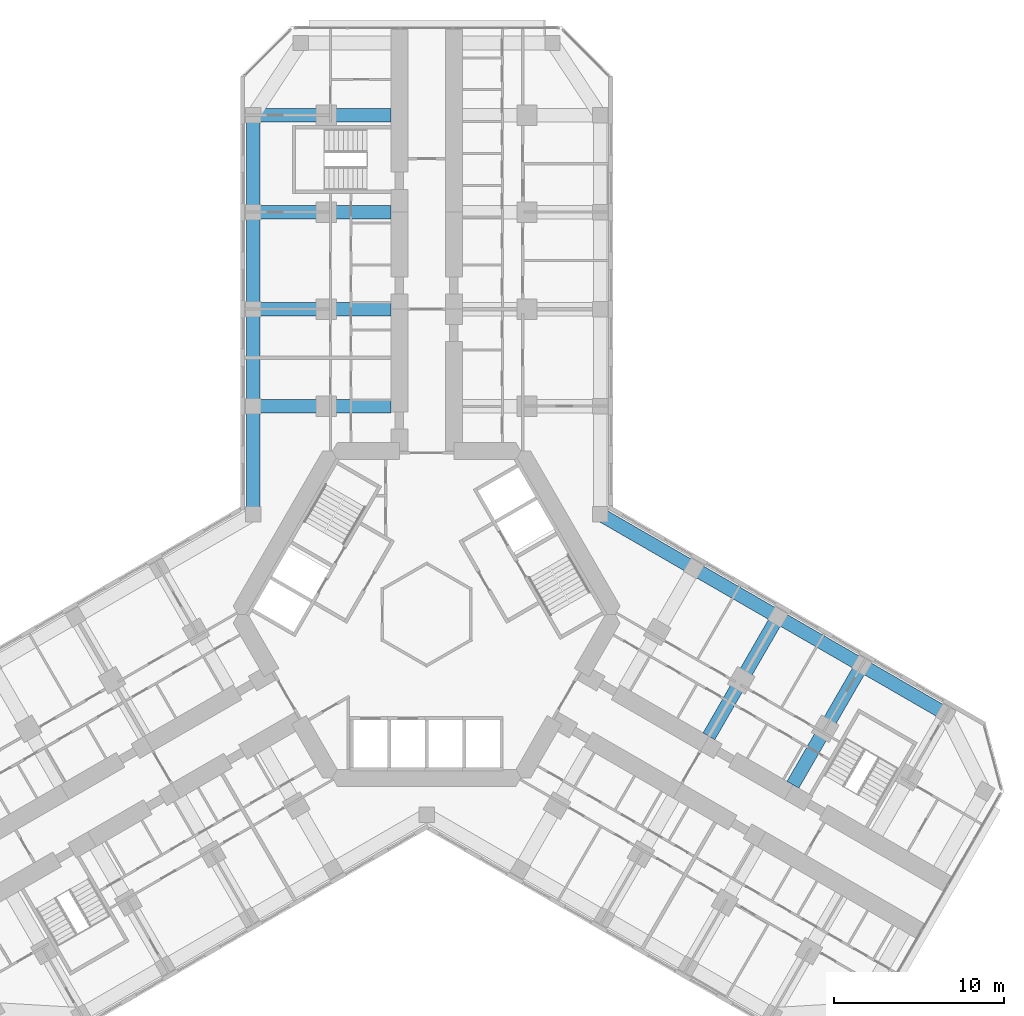
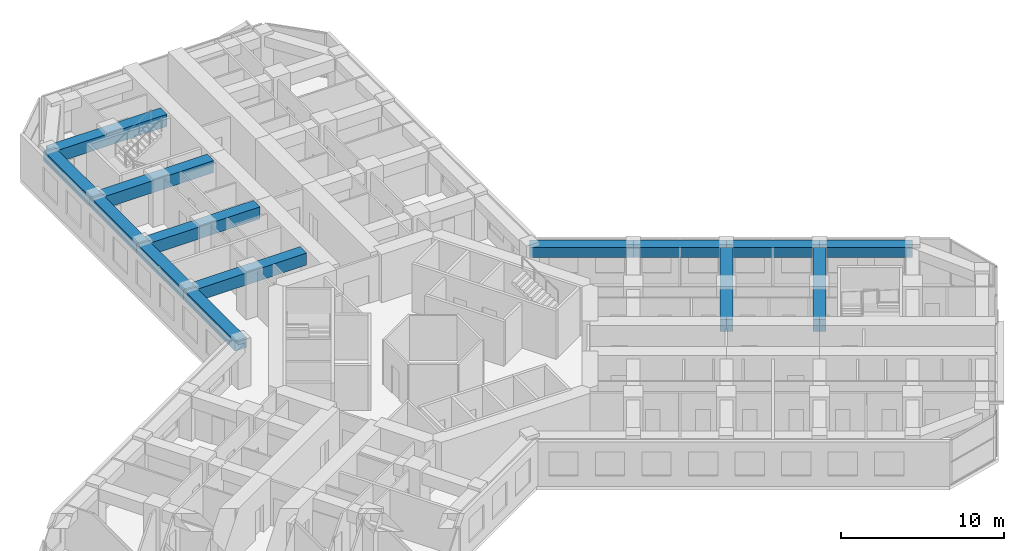
# One storey, part 6 of 21: 14 beams.
"""IFC4 building model written with IfcOpenShell, lengths in metres."""

from ifc_helpers import new_model, si_unit, direction, frame, origin, origin_2d, place, context, subcontext, project, spatial, rectangle, extrude, material, material_profile, profile_set, type_object, element, save


model = new_model("IFC4")

# Units and contexts
model_context = context("Model", 3, precision=1e-05, world=origin(), true_north=direction((0.0, 1.0)))
body_context = subcontext(model_context, "Body", "Model", "MODEL_VIEW")
ifc_project = project(units=[si_unit("LENGTHUNIT", "METRE"), si_unit("AREAUNIT", "SQUARE_METRE"), si_unit("VOLUMEUNIT", "CUBIC_METRE"), si_unit("PLANEANGLEUNIT", "RADIAN"), si_unit("MASSUNIT", "GRAM", prefix="KILO")], contexts=[model_context])

# Site, building, storey
site_placement = place(None, origin())
site = spatial("IfcSite", under=ifc_project, at=site_placement, CompositionType="ELEMENT")
building_placement = place(site_placement, origin())
building = spatial("IfcBuilding", under=site, at=building_placement, Name="Kosmar Iwan School Tower", CompositionType="ELEMENT")
storey_placement = place(building_placement, frame((0.0, 0.0, 102.39990234375)))
storey = spatial("IfcBuildingStorey", under=building, at=storey_placement, Name="L25", CompositionType="ELEMENT", Elevation=102.39990234375)

# Beams
ifc_material_1 = material(Name="Concrete C50/60", Category="concrete")
ifc_material_profile_1 = material_profile(ifc_material_1, rectangle(XDim=0.800048828125, YDim=0.75, at=origin_2d()), Name="RC 800x750")
ifc_profile_set_1 = profile_set([ifc_material_profile_1], Name="Concrete C50/60")
beam_type_1 = type_object("IfcBeamType", Name="RC edge beam 800x750", PredefinedType="BEAM", material=ifc_profile_set_1)
beam_1_placement = place(storey_placement, frame((-10.199951171875, 5.888916015625, 2.97509765625), z_axis=(0.0, 1.0, 0.0), x_axis=(-1.0, 0.0, 0.0)))
element("IfcBeam", 1, at=beam_1_placement, inside=storey, type_object=beam_type_1, Name="Edge beam AL1", PredefinedType="BEAM", context=body_context, shape_type="SweptSolid", body=[
    extrude(rectangle(XDim=0.800048828125, YDim=0.75, at=origin_2d()), origin(), (0.0, 0.0, 1.0), 6.361083984375),
])
for number, where, z_axis, x_axis, name in (
    (2, (-10.199951171875, 12.25, 2.97509765625), (0.0, 1.0, 0.0), (-1.0, 0.0, 0.0), "Edge beam AL2"),
    (3, (-10.199951171875, 17.949951171875, 2.97509765625), (0.0, 1.0, 0.0), (-1.0, 0.0, 0.0), "Edge beam AL3"),
):
    element("IfcBeam", number, at=place(storey_placement, frame(where, z_axis=z_axis, x_axis=x_axis)), inside=storey, type_object=beam_type_1, Name=name, PredefinedType="BEAM", context=body_context, shape_type="SweptSolid", body=[
        extrude(rectangle(XDim=0.800048828125, YDim=0.75, at=origin_2d()), origin(), (0.0, 0.0, 1.0), 5.699951171875),
    ])
beam_2_placement = place(storey_placement, frame((-10.199951171875, 23.64990234375, 2.97509765625), z_axis=(0.0, 1.0, 0.0), x_axis=(-1.0, 0.0, 0.0)))
element("IfcBeam", 4, at=beam_2_placement, inside=storey, type_object=beam_type_1, Name="Edge beam AL4", PredefinedType="BEAM", context=body_context, shape_type="SweptSolid", body=[
    extrude(rectangle(XDim=0.800048828125, YDim=0.75, at=origin_2d()), origin(), (0.0, 0.0, 1.0), 5.7001953125),
])
beam_3_placement = place(storey_placement, frame((10.199951171875, 5.888916015625, 2.97509765625), z_axis=(0.866030912664, -0.49999045822, 0.0), x_axis=(0.49999045822, 0.866030912664, 0.0)))
element("IfcBeam", 5, at=beam_3_placement, inside=storey, type_object=beam_type_1, Name="Edge beam CL1", PredefinedType="BEAM", context=body_context, shape_type="SweptSolid", body=[
    extrude(rectangle(XDim=0.800048828125, YDim=0.75, at=origin_2d()), origin(), (0.0, 0.0, 1.0), 6.36083984375),
])
beam_4_placement = place(storey_placement, frame((15.708740234375, 2.70849609375, 2.97509765625), z_axis=(0.866025820012, -0.499999279071, 0.0), x_axis=(0.499999279071, 0.866025820012, 0.0)))
element("IfcBeam", 6, at=beam_4_placement, inside=storey, type_object=beam_type_1, Name="Edge beam CL2", PredefinedType="BEAM", context=body_context, shape_type="SweptSolid", body=[
    extrude(rectangle(XDim=0.800048828125, YDim=0.75, at=origin_2d()), origin(), (0.0, 0.0, 1.0), 5.7001953125),
])
for number, where, z_axis, x_axis, name in (
    (7, (20.645263671875, -0.1416015625, 2.97509765625), (0.866033658841, -0.49998570155, 0.0), (0.49998570155, 0.866033658841, 0.0), "Edge beam CL3"),
    (8, (25.58154296875, -2.991455078125, 2.97509765625), (0.866015111908, -0.50001782563, 0.0), (0.50001782563, 0.866015111908, 0.0), "Edge beam CL4"),
):
    element("IfcBeam", number, at=place(storey_placement, frame(where, z_axis=z_axis, x_axis=x_axis)), inside=storey, type_object=beam_type_1, Name=name, PredefinedType="BEAM", context=body_context, shape_type="SweptSolid", body=[
        extrude(rectangle(XDim=0.800048828125, YDim=0.75, at=origin_2d()), origin(), (0.0, 0.0, 1.0), 5.699951171875),
    ])
ifc_material_2 = material(Name="Concrete C50/60", Category="concrete")
ifc_material_profile_2 = material_profile(ifc_material_2, rectangle(XDim=0.800048828125, YDim=0.89990234375, at=origin_2d()), Name="RC 800x900")
ifc_profile_set_2 = profile_set([ifc_material_profile_2], Name="Concrete C50/60")
beam_type_2 = type_object("IfcBeamType", Name="RC transverse beam 800x900", PredefinedType="BEAM", material=ifc_profile_set_2)
for number, where, z_axis, x_axis, name in (
    (9, (-10.199951171875, 12.25, 2.900146484375), (1.0, 0.0, 0.0), (0.0, 1.0, 0.0), "Transverse beam AL1"),
    (10, (-10.199951171875, 17.949951171875, 2.900146484375), (1.0, 0.0, 0.0), (0.0, 1.0, 0.0), "Transverse beam AL2"),
    (11, (-10.199951171875, 23.64990234375, 2.900146484375), (1.0, 0.0, 0.0), (0.0, 1.0, 0.0), "Transverse beam AL3"),
    (12, (-10.199951171875, 29.35009765625, 2.900146484375), (1.0, 0.0, 0.0), (0.0, 1.0, 0.0), "Transverse beam AL4"),
    (13, (20.645263671875, -0.1416015625, 2.900146484375), (-0.500012932018, -0.866017937352, 0.0), (0.866017937352, -0.500012932018, 0.0), "Transverse beam CL2"),
):
    element("IfcBeam", number, at=place(storey_placement, frame(where, z_axis=z_axis, x_axis=x_axis)), inside=storey, type_object=beam_type_2, Name=name, PredefinedType="BEAM", context=body_context, shape_type="SweptSolid", body=[
        extrude(rectangle(XDim=0.800048828125, YDim=0.89990234375, at=origin_2d()), origin(), (0.0, 0.0, 1.0), 8.099853515625),
    ])
beam_5_placement = place(storey_placement, frame((25.58154296875, -2.991455078125, 2.900146484375), z_axis=(-0.499999880539, -0.866025472755, 0.0), x_axis=(0.866025472755, -0.499999880539, 0.0)))
element("IfcBeam", 14, at=beam_5_placement, inside=storey, type_object=beam_type_2, Name="Transverse beam CL3", PredefinedType="BEAM", context=body_context, shape_type="SweptSolid", body=[
    extrude(rectangle(XDim=0.800048828125, YDim=0.89990234375, at=origin_2d()), origin(), (0.0, 0.0, 1.0), 8.10009765625),
])

save(model, "model.ifc")
